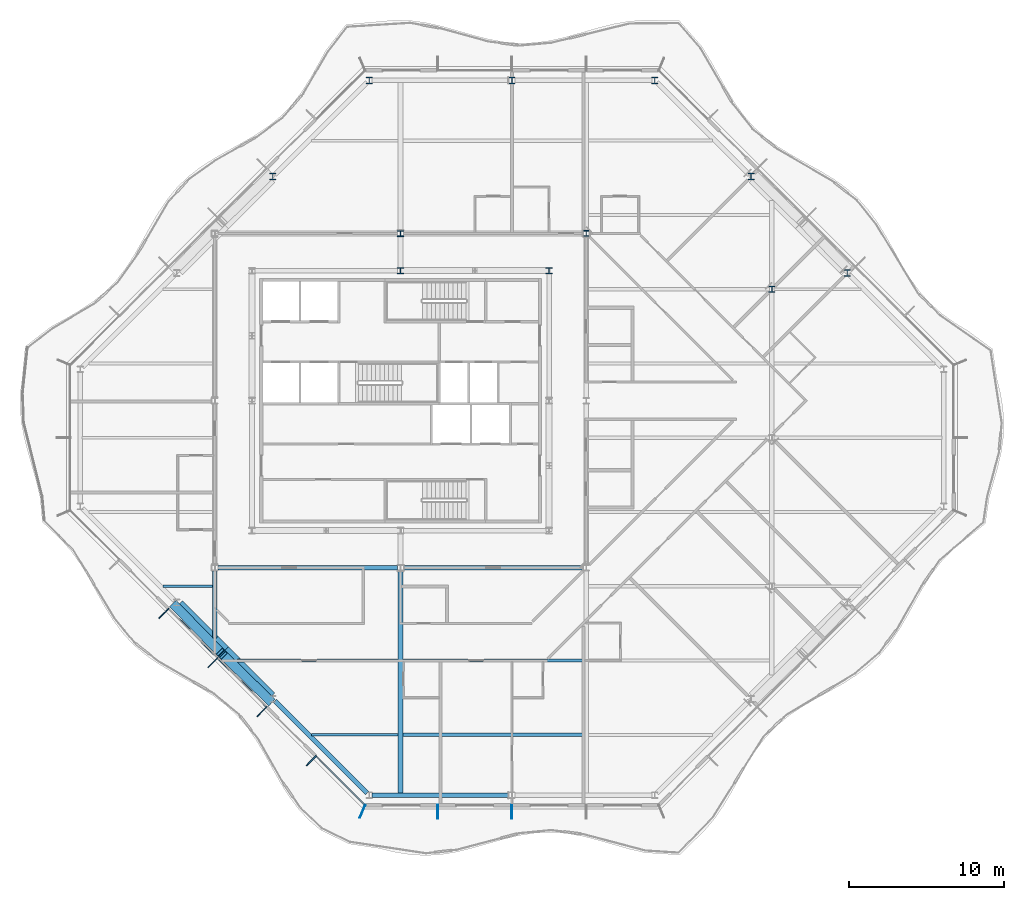
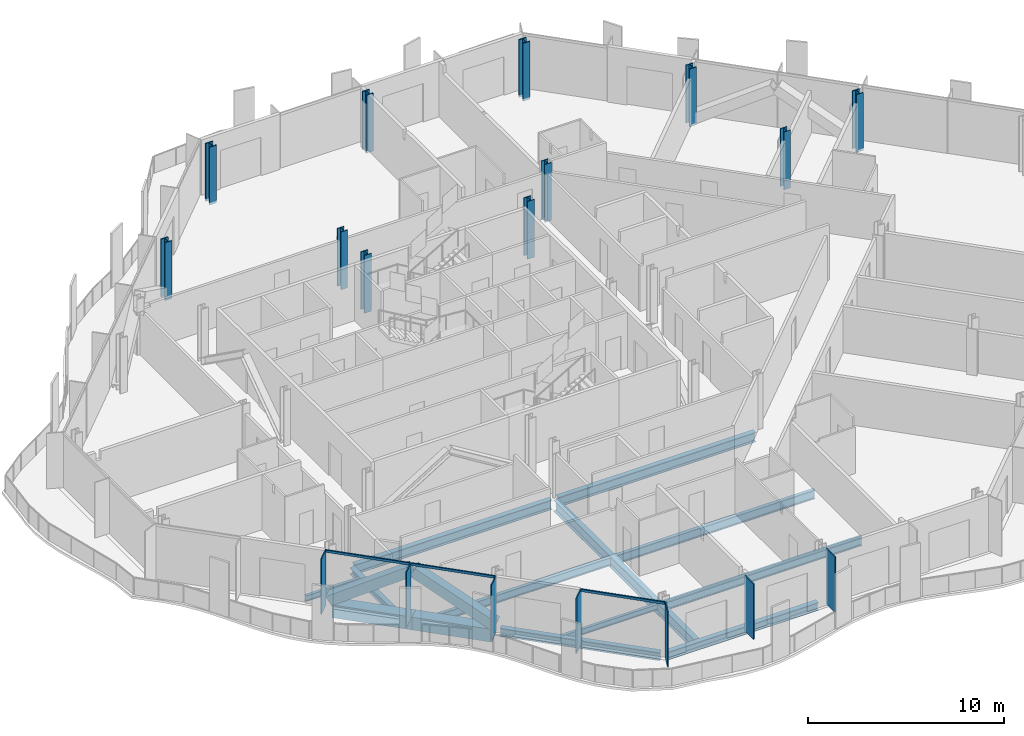
# One storey, part 2 of 17: 13 beams, 12 members, 11 columns, 2 elements without a shape of their own.
"""IFC4 building model written with IfcOpenShell, lengths in metres."""

from ifc_helpers import new_model, si_unit, direction, frame, origin, origin_2d, place, context, subcontext, project, spatial, rectangle, hollow_rectangle, i_section, extrude, material, material_profile, profile_set, type_object, element, aggregate, save


model = new_model("IFC4")

# Units and contexts
model_context = context("Model", 3, precision=1e-05, world=origin(), true_north=direction((0.0, 1.0)))
body_context = subcontext(model_context, "Body", "Model", "MODEL_VIEW")
ifc_project = project(units=[si_unit("LENGTHUNIT", "METRE"), si_unit("AREAUNIT", "SQUARE_METRE"), si_unit("VOLUMEUNIT", "CUBIC_METRE"), si_unit("PLANEANGLEUNIT", "RADIAN"), si_unit("MASSUNIT", "GRAM", prefix="KILO")], contexts=[model_context])

# Site, building, storey
site_placement = place(None, origin())
site = spatial("IfcSite", under=ifc_project, at=site_placement, CompositionType="ELEMENT")
building_placement = place(site_placement, origin())
building = spatial("IfcBuilding", under=site, at=building_placement, Name="Cairn Pilgrim Tower", CompositionType="ELEMENT")
storey_placement = place(building_placement, frame((0.0, 0.0, 221.39990234375)))
storey = spatial("IfcBuildingStorey", under=building, at=storey_placement, Name="L56", CompositionType="ELEMENT", Elevation=221.39990234375)

# Columns
ifc_material_1 = material(Name="Structural steel S355J2", Category="steel")
ifc_material_profile_1 = material_profile(ifc_material_1, i_section(OverallWidth=0.39892578125, OverallDepth=0.39306640625, WebThickness=0.022705078125, FlangeThickness=0.03662109375, FilletRadius=0.014892578125, at=origin_2d()), Name="HD 400x287")
ifc_profile_set_1 = profile_set([ifc_material_profile_1], Name="Structural steel S355J2")
column_type_1 = type_object("IfcColumnType", Name="HD 400x287", PredefinedType="COLUMN", material=ifc_profile_set_1)
for number, where, z_axis, x_axis, name in (
    (1, (7.199951171875, 13.199951171875, -0.14990234375), (0.0, 0.0, 1.0), (1.0, 0.0, 0.0), "IC-7"),
    (2, (19.199951171875, 13.199951171875, -0.14990234375), (0.0, 0.0, 1.0), (1.0, 0.0, 0.0), "IC-8"),
    (3, (31.199951171875, 9.60009765625, -0.14990234375), (0.0, 0.0, 1.0), (1.0, 0.0, 0.0), "WC-WE+2"),
):
    element("IfcColumn", number, at=place(storey_placement, frame(where, z_axis=z_axis, x_axis=x_axis)), inside=storey, type_object=column_type_1, Name=name, PredefinedType="COLUMN", context=body_context, shape_type="SweptSolid", body=[
        extrude(i_section(OverallWidth=0.39892578125, OverallDepth=0.39306640625, WebThickness=0.022705078125, FlangeThickness=0.03662109375, FilletRadius=0.014892578125, at=origin_2d()), origin(), (0.0, 0.0, 1.0), 3.60009765625),
    ])
ifc_material_2 = material(Name="Structural steel S460M", Category="steel")
ifc_material_profile_2 = material_profile(ifc_material_2, i_section(OverallWidth=0.404052734375, OverallDepth=0.406982421875, WebThickness=0.027099609375, FlangeThickness=0.043701171875, FilletRadius=0.014892578125, at=origin_2d()), Name="HD 400x347")
ifc_profile_set_2 = profile_set([ifc_material_profile_2], Name="Structural steel S460M")
column_type_2 = type_object("IfcColumnType", Name="HD 400x347", PredefinedType="COLUMN", material=ifc_profile_set_2)
for number, where, z_axis, x_axis, name in (
    (4, (7.199951171875, 10.800048828125, -0.14990234375), (0.0, 0.0, 1.0), (1.0, 0.0, 0.0), "KC-7"),
    (5, (16.800048828125, 10.800048828125, -0.14990234375), (0.0, 0.0, 1.0), (1.0, 0.0, 0.0), "KC-8"),
):
    element("IfcColumn", number, at=place(storey_placement, frame(where, z_axis=z_axis, x_axis=x_axis)), inside=storey, type_object=column_type_2, Name=name, PredefinedType="COLUMN", context=body_context, shape_type="SweptSolid", body=[
        extrude(i_section(OverallWidth=0.404052734375, OverallDepth=0.406982421875, WebThickness=0.027099609375, FlangeThickness=0.043701171875, FilletRadius=0.014892578125, at=origin_2d()), origin(), (0.0, 0.0, 1.0), 3.60009765625),
    ])
ifc_material_profile_3 = material_profile(ifc_material_2, i_section(OverallWidth=0.416015625, OverallDepth=0.446044921875, WebThickness=0.0390625, FlangeThickness=0.062744140625, FilletRadius=0.014892578125, at=origin_2d()), Name="HD 400x509")
ifc_profile_set_3 = profile_set([ifc_material_profile_3], Name="Structural steel S460M")
column_type_3 = type_object("IfcColumnType", Name="HD 400x509", PredefinedType="COLUMN", material=ifc_profile_set_3)
for number, where, z_axis, x_axis, name in (
    (6, (36.07568359375, 10.651611328125, -0.14990234375), (0.0, 0.0, 1.0), (1.0, 0.0, 0.0), "PC3-NE2"),
    (7, (29.8515625, 16.875732421875, -0.14990234375), (0.0, 0.0, 1.0), (1.0, 0.0, 0.0), "PC3-NE3"),
    (8, (23.627197265625, 23.10009765625, -0.14990234375), (0.0, 0.0, 1.0), (1.0, 0.0, 0.0), "PC3-N1"),
    (9, (14.39990234375, 23.10009765625, -0.14990234375), (0.0, 0.0, 1.0), (1.0, 0.0, 0.0), "PC3-N2"),
    (10, (5.1728515625, 23.10009765625, -0.14990234375), (0.0, 0.0, 1.0), (1.0, 0.0, 0.0), "PC3-NW1"),
    (11, (-1.051513671875, 16.875732421875, -0.14990234375), (0.0, 0.0, 1.0), (1.0, 0.0, 0.0), "PC3-NW2"),
):
    element("IfcColumn", number, at=place(storey_placement, frame(where, z_axis=z_axis, x_axis=x_axis)), inside=storey, type_object=column_type_3, Name=name, PredefinedType="COLUMN", context=body_context, shape_type="SweptSolid", body=[
        extrude(i_section(OverallWidth=0.416015625, OverallDepth=0.446044921875, WebThickness=0.0390625, FlangeThickness=0.062744140625, FilletRadius=0.014892578125, at=origin_2d()), origin(), (0.0, 0.0, 1.0), 3.60009765625),
    ])

# Members
ifc_material_profile_4 = material_profile(ifc_material_2, hollow_rectangle(XDim=0.60009765625, YDim=0.60009765625, WallThickness=0.034912109375, at=origin_2d()), Name="BOX 600x600x35")
ifc_profile_set_4 = profile_set([ifc_material_profile_4], Name="Structural steel S460M")
member_type_1 = type_object("IfcMemberType", Name="BOX 600x600x35 BRACE", PredefinedType="BRACE", material=ifc_profile_set_4)
member_1_placement = place(storey_placement, frame((-7.4013671875, -10.823974609375, 0.150146484375), z_axis=(0.594778373814, -0.610009201523, 0.523571828979), x_axis=(0.715988756584, 0.698111810848, 0.0)))
element("IfcMember", 12, at=member_1_placement, inside=storey, type_object=member_type_1, Name="XB-SW2-SW3-1", PredefinedType="BRACE", context=body_context, shape_type="SweptSolid", body=[
    extrude(hollow_rectangle(XDim=0.60009765625, YDim=0.60009765625, WallThickness=0.034912109375, at=origin_2d()), origin(), (0.0, 0.0, 1.0), 5.033203125),
])
member_2_placement = place(storey_placement, frame((-1.22412109375, -17.00146484375, 0.150146484375), z_axis=(-0.609978743911, 0.59479597279, 0.523587321016), x_axis=(-0.698140268834, -0.71596100804, 0.0)))
element("IfcMember", 13, at=member_2_placement, inside=storey, type_object=member_type_1, Name="XB-SW2-SW3-2", PredefinedType="BRACE", context=body_context, shape_type="SweptSolid", body=[
    extrude(hollow_rectangle(XDim=0.60009765625, YDim=0.60009765625, WallThickness=0.034912109375, at=origin_2d()), origin(), (0.0, 0.0, 1.0), 5.032958984375),
])

# Beams
ifc_material_profile_5 = material_profile(ifc_material_1, hollow_rectangle(XDim=0.699951171875, YDim=0.800048828125, WallThickness=0.0400390625, at=origin_2d()), Name="BOX 700x800x40")
ifc_profile_set_5 = profile_set([ifc_material_profile_5], Name="Structural steel S355J2")
beam_type_1 = type_object("IfcBeamType", Name="BOX 700x800x40 RING GIRDER", PredefinedType="SPANDREL", material=ifc_profile_set_5)
beam_1_placement = place(storey_placement, frame((-7.143310546875, -10.78369140625, -0.5498046875), z_axis=(0.707077813866, -0.707135747321, 0.0), x_axis=(0.707135747321, 0.707077813866, 0.0)))
element("IfcBeam", 14, at=beam_1_placement, inside=storey, type_object=beam_type_1, Name="RG3-SW2-SW3-1", PredefinedType="SPANDREL", context=body_context, shape_type="SweptSolid", body=[
    extrude(hollow_rectangle(XDim=0.699951171875, YDim=0.800048828125, WallThickness=0.0400390625, at=origin_2d()), origin(), (0.0, 0.0, 1.0), 4.214111328125),
])
beam_2_placement = place(storey_placement, frame((-4.16357421875, -13.763671875, -0.5498046875), z_axis=(0.707106781187, -0.707106781187, 0.0), x_axis=(0.707106781187, 0.707106781187, 0.0)))
element("IfcBeam", 15, at=beam_2_placement, inside=storey, type_object=beam_type_1, Name="RG3-SW2-SW3-2", PredefinedType="SPANDREL", context=body_context, shape_type="SweptSolid", body=[
    extrude(hollow_rectangle(XDim=0.699951171875, YDim=0.800048828125, WallThickness=0.0400390625, at=origin_2d()), origin(), (0.0, 0.0, 1.0), 4.2138671875),
])

# Curtain wall, members
ifc_material_3 = material(Name="Aluminium alloy 6063-T6 bronze anodised with Bronze tinted laminated low-E glass 8+16+8.8", Category="aluminium")
curtain_wall_type_1 = type_object("IfcCurtainWallType", Name="TOWER STICK CURTAIN WALL NS", PredefinedType="NOTDEFINED", material=ifc_material_3)
curtain_wall_1_placement = place(storey_placement, origin())
curtain_wall_1 = element("IfcCurtainWall", 16, at=curtain_wall_1_placement, inside=storey, type_object=curtain_wall_type_1, Name="Tower Stick Curtain Wall Ns S", PredefinedType="NOTDEFINED")
ifc_material_4 = material(Name="Aluminium alloy 6063-T6 bronze anodised", Category="aluminium")
ifc_material_profile_6 = material_profile(ifc_material_4, rectangle(XDim=0.89990234375, YDim=0.06005859375, at=origin_2d()), Name="FIN MULLION 60x900 BRONZE")
ifc_profile_set_6 = profile_set([ifc_material_profile_6], Name="Aluminium alloy 6063-T6 bronze anodised")
member_type_2 = type_object("IfcMemberType", Name="FIN MULLION 60x900 BRONZE", PredefinedType="MULLION", material=ifc_profile_set_6)
member_3_placement = place(storey_placement, frame((4.742919921875, -24.137939453125, 0.0), z_axis=(0.0, 0.0, 1.0), x_axis=(-0.382683432365, -0.923879532511, 0.0)))
member_3 = element("IfcMember", 17, at=member_3_placement, type_object=member_type_2, Name="Fin mullion S1", PredefinedType="MULLION", context=body_context, shape_type="SweptSolid", body=[
    extrude(rectangle(XDim=0.89990234375, YDim=0.06005859375, at=origin_2d()), origin(), (0.0, 0.0, 1.0), 3.4501953125),
])
member_4_placement = place(storey_placement, frame((9.60009765625, -24.169921875, 0.0), z_axis=(0.0, 0.0, 1.0), x_axis=(0.0, -1.0, 0.0)))
member_4 = element("IfcMember", 18, at=member_4_placement, type_object=member_type_2, Name="Fin mullion S2", PredefinedType="MULLION", context=body_context, shape_type="SweptSolid", body=[
    extrude(rectangle(XDim=0.89990234375, YDim=0.06005859375, at=origin_2d()), origin(), (0.0, 0.0, 1.0), 3.4501953125),
])
member_5_placement = place(storey_placement, frame((14.39990234375, -24.169921875, 0.0), z_axis=(0.0, 0.0, 1.0), x_axis=(0.0, -1.0, 0.0)))
member_5 = element("IfcMember", 19, at=member_5_placement, type_object=member_type_2, Name="Fin mullion S3", PredefinedType="MULLION", context=body_context, shape_type="SweptSolid", body=[
    extrude(rectangle(XDim=0.89990234375, YDim=0.06005859375, at=origin_2d()), origin(), (0.0, 0.0, 1.0), 3.4501953125),
])
aggregate(curtain_wall_1, [member_3, member_4, member_5])

curtain_wall_type_2 = type_object("IfcCurtainWallType", Name="CHAMFER CORNER CURTAIN WALL", PredefinedType="NOTDEFINED", material=ifc_material_3)
curtain_wall_2_placement = place(storey_placement, origin())
curtain_wall_2 = element("IfcCurtainWall", 20, at=curtain_wall_2_placement, inside=storey, type_object=curtain_wall_type_2, Name="Chamfer Corner Curtain Wall SW", PredefinedType="NOTDEFINED")
member_6_placement = place(storey_placement, frame((-8.095703125, -11.3447265625, 0.0), z_axis=(0.0, 0.0, 1.0), x_axis=(-0.707106781187, -0.707106781187, 0.0)))
member_6 = element("IfcMember", 21, at=member_6_placement, type_object=member_type_2, Name="Fin mullion SW3", PredefinedType="MULLION", context=body_context, shape_type="SweptSolid", body=[
    extrude(rectangle(XDim=0.89990234375, YDim=0.06005859375, at=origin_2d()), origin(), (0.0, 0.0, 1.0), 3.4501953125),
])
member_7_placement = place(storey_placement, frame((-4.920166015625, -14.520263671875, 0.0), z_axis=(0.0, 0.0, 1.0), x_axis=(-0.707106781187, -0.707106781187, 0.0)))
member_7 = element("IfcMember", 22, at=member_7_placement, type_object=member_type_2, Name="Fin mullion SW4", PredefinedType="MULLION", context=body_context, shape_type="SweptSolid", body=[
    extrude(rectangle(XDim=0.89990234375, YDim=0.06005859375, at=origin_2d()), origin(), (0.0, 0.0, 1.0), 3.4501953125),
])
member_8_placement = place(storey_placement, frame((-1.74462890625, -17.69580078125, 0.0), z_axis=(0.0, 0.0, 1.0), x_axis=(-0.707106781187, -0.707106781187, 0.0)))
member_8 = element("IfcMember", 23, at=member_8_placement, type_object=member_type_2, Name="Fin mullion SW5", PredefinedType="MULLION", context=body_context, shape_type="SweptSolid", body=[
    extrude(rectangle(XDim=0.89990234375, YDim=0.06005859375, at=origin_2d()), origin(), (0.0, 0.0, 1.0), 3.4501953125),
])
member_9_placement = place(storey_placement, frame((1.430908203125, -20.871337890625, 0.0), z_axis=(0.0, 0.0, 1.0), x_axis=(-0.707106781187, -0.707106781187, 0.0)))
member_9 = element("IfcMember", 24, at=member_9_placement, type_object=member_type_2, Name="Fin mullion SW6", PredefinedType="MULLION", context=body_context, shape_type="SweptSolid", body=[
    extrude(rectangle(XDim=0.89990234375, YDim=0.06005859375, at=origin_2d()), origin(), (0.0, 0.0, 1.0), 3.4501953125),
])

# Beams
ifc_material_profile_7 = material_profile(ifc_material_1, i_section(OverallWidth=0.300048828125, OverallDepth=0.39990234375, WebThickness=0.013427734375, FlangeThickness=0.02392578125, FilletRadius=0.027099609375, at=origin_2d()), Name="HEB 400")
ifc_profile_set_7 = profile_set([ifc_material_profile_7], Name="Structural steel S355J2")
beam_type_2 = type_object("IfcBeamType", Name="HEB 400 GIRDER", PredefinedType="BEAM", material=ifc_profile_set_7)
beam_3_placement = place(storey_placement, frame((-4.800048828125, -12.945068359375, -0.349853515625), z_axis=(0.0, 1.0, 0.0), x_axis=(-1.0, 0.0, 0.0)))
element("IfcBeam", 25, at=beam_3_placement, inside=storey, type_object=beam_type_2, Name="PG2-1", PredefinedType="BEAM", context=body_context, shape_type="SweptSolid", body=[
    extrude(i_section(OverallWidth=0.300048828125, OverallDepth=0.39990234375, WebThickness=0.013427734375, FlangeThickness=0.02392578125, FilletRadius=0.027099609375, at=origin_2d()), origin(), (0.0, 0.0, 1.0), 4.345458984375),
])
ifc_material_profile_8 = material_profile(ifc_material_1, i_section(OverallWidth=0.300048828125, OverallDepth=0.5, WebThickness=0.014404296875, FlangeThickness=0.028076171875, FilletRadius=0.027099609375, at=origin_2d()), Name="HEB 500")
ifc_profile_set_8 = profile_set([ifc_material_profile_8], Name="Structural steel S355J2")
beam_type_3 = type_object("IfcBeamType", Name="HEB 500 RING GIRDER", PredefinedType="SPANDREL", material=ifc_profile_set_8)
beam_4_placement = place(storey_placement, frame((5.360107421875, -23.10009765625, -0.39990234375), z_axis=(1.0, 0.0, 0.0), x_axis=(0.0, 1.0, 0.0)))
element("IfcBeam", 26, at=beam_4_placement, inside=storey, type_object=beam_type_3, Name="RG3-S1-S2", PredefinedType="SPANDREL", context=body_context, shape_type="SweptSolid", body=[
    extrude(i_section(OverallWidth=0.300048828125, OverallDepth=0.5, WebThickness=0.014404296875, FlangeThickness=0.028076171875, FilletRadius=0.027099609375, at=origin_2d()), origin(), (0.0, 0.0, 1.0), 8.852783203125),
])
beam_5_placement = place(storey_placement, frame((-0.919189453125, -17.008056640625, -0.39990234375), z_axis=(0.707106781187, -0.707106781187, 0.0), x_axis=(0.707106781187, 0.707106781187, 0.0)))
element("IfcBeam", 27, at=beam_5_placement, inside=storey, type_object=beam_type_3, Name="RG3-SW3-S1", PredefinedType="SPANDREL", context=body_context, shape_type="SweptSolid", body=[
    extrude(i_section(OverallWidth=0.300048828125, OverallDepth=0.5, WebThickness=0.014404296875, FlangeThickness=0.028076171875, FilletRadius=0.027099609375, at=origin_2d()), origin(), (0.0, 0.0, 1.0), 8.427978515625),
])
ifc_material_profile_9 = material_profile(ifc_material_1, i_section(OverallWidth=0.300048828125, OverallDepth=0.60009765625, WebThickness=0.015380859375, FlangeThickness=0.030029296875, FilletRadius=0.027099609375, at=origin_2d()), Name="HEB 600")
ifc_profile_set_9 = profile_set([ifc_material_profile_9], Name="Structural steel S355J2")
beam_type_4 = type_object("IfcBeamType", Name="HEB 600 INNER GIRDER", PredefinedType="BEAM", material=ifc_profile_set_9)
for number, where, z_axis, x_axis, name in (
    (28, (-4.6005859375, -8.39990234375, -0.449951171875), (1.0, 0.0, 0.0), (0.0, 1.0, 0.0), "IG1-1"),
    (29, (7.3994140625, -8.39990234375, -0.449951171875), (1.0, 0.0, 0.0), (0.0, 1.0, 0.0), "IG1-2"),
):
    element("IfcBeam", number, at=place(storey_placement, frame(where, z_axis=z_axis, x_axis=x_axis)), inside=storey, type_object=beam_type_4, Name=name, PredefinedType="BEAM", context=body_context, shape_type="SweptSolid", body=[
        extrude(i_section(OverallWidth=0.300048828125, OverallDepth=0.60009765625, WebThickness=0.015380859375, FlangeThickness=0.030029296875, FilletRadius=0.027099609375, at=origin_2d()), origin(), (0.0, 0.0, 1.0), 11.60107421875),
    ])
ifc_material_profile_10 = material_profile(ifc_material_1, i_section(OverallWidth=0.300048828125, OverallDepth=0.699951171875, WebThickness=0.01708984375, FlangeThickness=0.031982421875, FilletRadius=0.027099609375, at=origin_2d()), Name="HEB 700")
ifc_profile_set_10 = profile_set([ifc_material_profile_10], Name="Structural steel S355J2")
beam_type_5 = type_object("IfcBeamType", Name="HEB 700 GIRDER", PredefinedType="BEAM", material=ifc_profile_set_10)
beam_6_placement = place(storey_placement, frame((7.199951171875, -22.97998046875, -0.5), z_axis=(0.0, 1.0, 0.0), x_axis=(-1.0, 0.0, 0.0)))
element("IfcBeam", 30, at=beam_6_placement, inside=storey, type_object=beam_type_5, Name="PG3-1", PredefinedType="BEAM", context=body_context, shape_type="SweptSolid", body=[
    extrude(i_section(OverallWidth=0.300048828125, OverallDepth=0.699951171875, WebThickness=0.01708984375, FlangeThickness=0.031982421875, FilletRadius=0.027099609375, at=origin_2d()), origin(), (0.0, 0.0, 1.0), 14.38037109375),
])
ifc_material_profile_11 = material_profile(ifc_material_1, i_section(OverallWidth=0.169921875, OverallDepth=0.360107421875, WebThickness=0.008056640625, FlangeThickness=0.0126953125, FilletRadius=0.01806640625, at=origin_2d()), Name="IPE 360")
ifc_profile_set_11 = profile_set([ifc_material_profile_11], Name="Structural steel S355J2")
beam_type_6 = type_object("IfcBeamType", Name="IPE 360 SECONDARY BEAM", PredefinedType="JOIST", material=ifc_profile_set_11)
beam_7_placement = place(storey_placement, frame((1.454833984375, -19.199951171875, -0.329833984375), z_axis=(1.0, 0.0, 0.0), x_axis=(0.0, 1.0, 0.0)))
element("IfcBeam", 31, at=beam_7_placement, inside=storey, type_object=beam_type_6, Name="SB1-1", PredefinedType="JOIST", context=body_context, shape_type="SweptSolid", body=[
    extrude(i_section(OverallWidth=0.169921875, OverallDepth=0.360107421875, WebThickness=0.008056640625, FlangeThickness=0.0126953125, FilletRadius=0.01806640625, at=origin_2d()), origin(), (0.0, 0.0, 1.0), 5.59521484375),
])
beam_8_placement = place(storey_placement, frame((-8.14501953125, -9.60009765625, -0.329833984375), z_axis=(1.0, 0.0, 0.0), x_axis=(0.0, 1.0, 0.0)))
element("IfcBeam", 32, at=beam_8_placement, inside=storey, type_object=beam_type_6, Name="SB3-1", PredefinedType="JOIST", context=body_context, shape_type="SweptSolid", body=[
    extrude(i_section(OverallWidth=0.169921875, OverallDepth=0.360107421875, WebThickness=0.008056640625, FlangeThickness=0.0126953125, FilletRadius=0.01806640625, at=origin_2d()), origin(), (0.0, 0.0, 1.0), 3.195068359375),
])
ifc_material_profile_12 = material_profile(ifc_material_1, i_section(OverallWidth=0.199951171875, OverallDepth=0.5, WebThickness=0.01025390625, FlangeThickness=0.01611328125, FilletRadius=0.02099609375, at=origin_2d()), Name="IPE 500")
ifc_profile_set_12 = profile_set([ifc_material_profile_12], Name="Structural steel S355J2")
beam_type_7 = type_object("IfcBeamType", Name="IPE 500 SECONDARY BEAM", PredefinedType="JOIST", material=ifc_profile_set_12)
beam_9_placement = place(storey_placement, frame((-3.34521484375, -14.39990234375, -0.39990234375), z_axis=(1.0, 0.0, 0.0), x_axis=(0.0, 1.0, 0.0)))
element("IfcBeam", 33, at=beam_9_placement, inside=storey, type_object=beam_type_7, Name="SB2-1", PredefinedType="JOIST", context=body_context, shape_type="SweptSolid", body=[
    extrude(i_section(OverallWidth=0.199951171875, OverallDepth=0.5, WebThickness=0.01025390625, FlangeThickness=0.01611328125, FilletRadius=0.02099609375, at=origin_2d()), origin(), (0.0, 0.0, 1.0), 10.395263671875),
])
ifc_material_profile_13 = material_profile(ifc_material_1, i_section(OverallWidth=0.2099609375, OverallDepth=0.550048828125, WebThickness=0.010986328125, FlangeThickness=0.01708984375, FilletRadius=0.02392578125, at=origin_2d()), Name="IPE 550")
ifc_profile_set_13 = profile_set([ifc_material_profile_13], Name="Structural steel S355J2")
beam_type_8 = type_object("IfcBeamType", Name="IPE 550 SECONDARY BEAM", PredefinedType="JOIST", material=ifc_profile_set_13)
for number, where, z_axis, x_axis, name in (
    (34, (7.35009765625, -19.199951171875, -0.4248046875), (1.0, 0.0, 0.0), (0.0, 1.0, 0.0), "SB1-2"),
    (35, (7.35009765625, -14.39990234375, -0.4248046875), (1.0, 0.0, 0.0), (0.0, 1.0, 0.0), "SB2-2"),
):
    element("IfcBeam", number, at=place(storey_placement, frame(where, z_axis=z_axis, x_axis=x_axis)), inside=storey, type_object=beam_type_8, Name=name, PredefinedType="JOIST", context=body_context, shape_type="SweptSolid", body=[
        extrude(i_section(OverallWidth=0.2099609375, OverallDepth=0.550048828125, WebThickness=0.010986328125, FlangeThickness=0.01708984375, FilletRadius=0.02392578125, at=origin_2d()), origin(), (0.0, 0.0, 1.0), 11.699951171875),
    ])

# Member
ifc_material_profile_14 = material_profile(ifc_material_4, rectangle(XDim=0.080078125, YDim=0.14990234375, at=origin_2d()), Name="TRANSOM 80x150 BRONZE")
ifc_profile_set_14 = profile_set([ifc_material_profile_14], Name="Aluminium alloy 6063-T6 bronze anodised")
member_type_3 = type_object("IfcMemberType", Name="TRANSOM 80x150 BRONZE", PredefinedType="USERDEFINED", material=ifc_profile_set_14)
member_10_placement = place(storey_placement, frame((-7.777587890625, -11.06884765625, 3.375), z_axis=(0.707106781187, -0.707106781187, 0.0), x_axis=(0.707106781187, 0.707106781187, 0.0)))
member_10 = element("IfcMember", 36, at=member_10_placement, type_object=member_type_3, Name="Transom SW3", ObjectType="TRANSOM", PredefinedType="USERDEFINED", context=body_context, shape_type="SweptSolid", body=[
    extrude(rectangle(XDim=0.080078125, YDim=0.14990234375, at=origin_2d()), origin(), (0.0, 0.0, 1.0), 4.430908203125),
])

member_11_placement = place(storey_placement, frame((-4.60205078125, -14.244384765625, 3.375), z_axis=(0.707106781187, -0.707106781187, 0.0), x_axis=(0.707106781187, 0.707106781187, 0.0)))
member_11 = element("IfcMember", 37, at=member_11_placement, type_object=member_type_3, Name="Transom SW4", ObjectType="TRANSOM", PredefinedType="USERDEFINED", context=body_context, shape_type="SweptSolid", body=[
    extrude(rectangle(XDim=0.080078125, YDim=0.14990234375, at=origin_2d()), origin(), (0.0, 0.0, 1.0), 4.43115234375),
])

member_12_placement = place(storey_placement, frame((1.749267578125, -20.595703125, 3.375), z_axis=(0.707106781187, -0.707106781187, 0.0), x_axis=(0.707106781187, 0.707106781187, 0.0)))
member_12 = element("IfcMember", 38, at=member_12_placement, type_object=member_type_3, Name="Transom SW6", ObjectType="TRANSOM", PredefinedType="USERDEFINED", context=body_context, shape_type="SweptSolid", body=[
    extrude(rectangle(XDim=0.080078125, YDim=0.14990234375, at=origin_2d()), origin(), (0.0, 0.0, 1.0), 4.4208984375),
])

aggregate(curtain_wall_2, [member_6, member_7, member_8, member_9, member_10, member_11, member_12])

save(model, "model.ifc")
